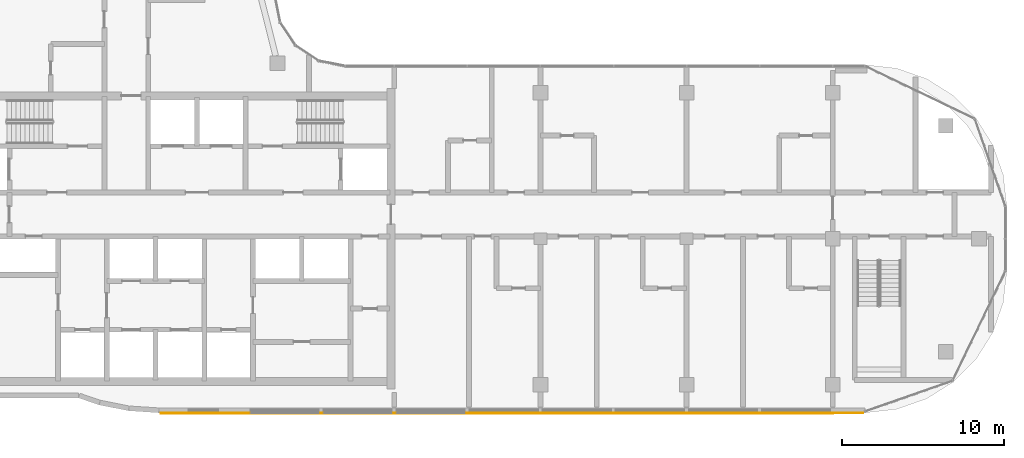
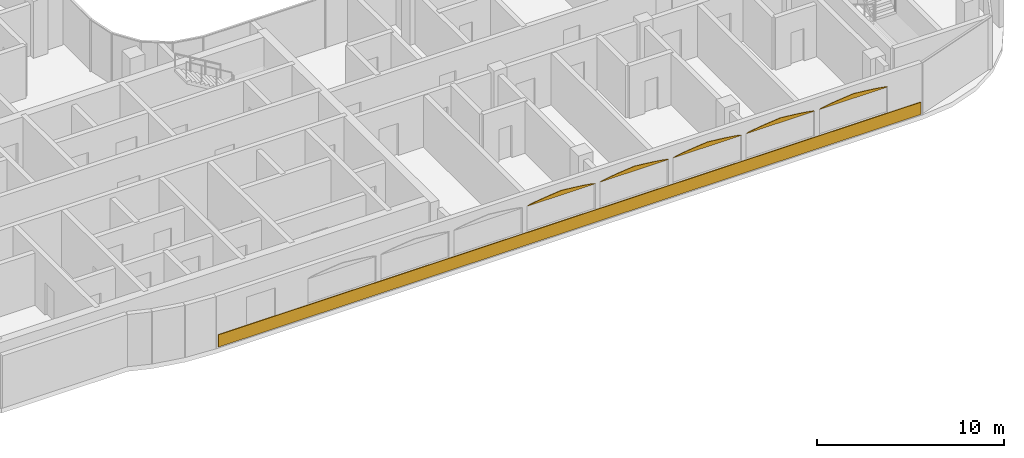
# One storey, part 18 of 19: 6 coverings.
"""IFC4 building model written with IfcOpenShell, lengths in metres."""

from ifc_helpers import new_model, si_unit, direction, frame, origin, origin_2d, place, context, subcontext, project, spatial, polyline, rectangle, outline, extrude, material, layer, layer_set, type_object, element, save


model = new_model("IFC4")

# Units and contexts
model_context = context("Model", 3, precision=1e-05, world=origin(), true_north=direction((0.0, 1.0)))
body_context = subcontext(model_context, "Body", "Model", "MODEL_VIEW")
ifc_project = project(units=[si_unit("LENGTHUNIT", "METRE"), si_unit("AREAUNIT", "SQUARE_METRE"), si_unit("VOLUMEUNIT", "CUBIC_METRE"), si_unit("PLANEANGLEUNIT", "RADIAN"), si_unit("MASSUNIT", "GRAM", prefix="KILO")], contexts=[model_context])

# Site, building, storey
site_placement = place(None, origin())
site = spatial("IfcSite", under=ifc_project, at=site_placement, CompositionType="ELEMENT")
building_placement = place(site_placement, origin())
building = spatial("IfcBuilding", under=site, at=building_placement, Name="Ogive Portal Towers", CompositionType="ELEMENT")
storey_placement = place(building_placement, frame((0.0, 0.0, 203.199951171875)))
storey = spatial("IfcBuildingStorey", under=building, at=storey_placement, Name="L50", CompositionType="ELEMENT", Elevation=203.199951171875)

# Coverings
ifc_material = material(Name="Limestone cladding on lightweight block wall", Category="masonry")
ifc_layer_1 = layer(ifc_material, 0.0400390625)
ifc_layer_set_1 = layer_set([ifc_layer_1], Name="LANCET HEAD STONE")
covering_type_1 = type_object("IfcCoveringType", Name="LANCET HEAD STONE", PredefinedType="CLADDING", material=ifc_layer_set_1)
for number, where, z_axis, x_axis, name in (
    (1, (63.14990234375, 19.784912109375, 2.60009765625), (0.0, 0.999955558891, 0.009427631938), (1.0, 0.0, 0.0), "Lancet head"),
    (2, (67.64990234375, 19.784912109375, 2.60009765625), (0.0, 0.999955558891, 0.009427631938), (1.0, 0.0, 0.0), "Lancet head"),
    (3, (72.14990234375, 19.784912109375, 2.60009765625), (0.0, 0.999955558891, 0.009427631938), (1.0, 0.0, 0.0), "Lancet head"),
    (4, (76.64990234375, 19.784912109375, 2.60009765625), (0.0, 0.999955558891, 0.009427631938), (1.0, 0.0, 0.0), "Lancet head"),
    (5, (81.14990234375, 19.784912109375, 2.60009765625), (0.0, 0.999955558891, 0.009427631938), (1.0, 0.0, 0.0), "Lancet head"),
):
    element("IfcCovering", number, at=place(storey_placement, frame(where, z_axis=z_axis, x_axis=x_axis)), inside=storey, type_object=covering_type_1, Name=name, PredefinedType="CLADDING", context=body_context, shape_type="SweptSolid", body=[
        extrude(outline(polyline([(0.0, 0.0), (4.2001953125, 0.0), (4.107177734375, -0.03735415726127601), (3.9375, -0.0749547459656255), (3.7177734375, -0.11255303300202127), (3.45751953125, -0.149909491931251), (3.162353515625, -0.18750777896764678), (2.836181640625, -0.2248642378968765), (2.481201171875, -0.26246252493327227), (2.10009765625, -0.3000631136376218), (1.718994140625, -0.26246252493327227), (1.364013671875, -0.2248642378968765), (1.037841796875, -0.18750777896764678), (0.74267578125, -0.149909491931251), (0.482421875, -0.11255303300202127), (0.2626953125, -0.0749547459656255), (0.093017578125, -0.03735415726127601), (0.0, 0.0)])), origin(), (0.0, 0.0, -1.0), 0.0400390625),
    ])
ifc_layer_2 = layer(ifc_material, 0.050048828125)
ifc_layer_set_2 = layer_set([ifc_layer_2], Name="SCREEN PERFORATED STONE")
covering_type_2 = type_object("IfcCoveringType", Name="SCREEN PERFORATED STONE", PredefinedType="CLADDING", material=ifc_layer_set_2)
covering_placement = place(storey_placement, frame((65.748046875, 19.760009765625, 0.10009765625), z_axis=(0.0, 0.0, 1.0), x_axis=(1.0, 0.0, 0.0)))
element("IfcCovering", 6, at=covering_placement, inside=storey, type_object=covering_type_2, Name="Tracery screen", PredefinedType="CLADDING", context=body_context, shape_type="SweptSolid", body=[
    extrude(rectangle(XDim=43.276611328125, YDim=0.050048828125, at=origin_2d()), origin(), (0.0, 0.0, 1.0), 0.800048828125),
])

save(model, "model.ifc")
